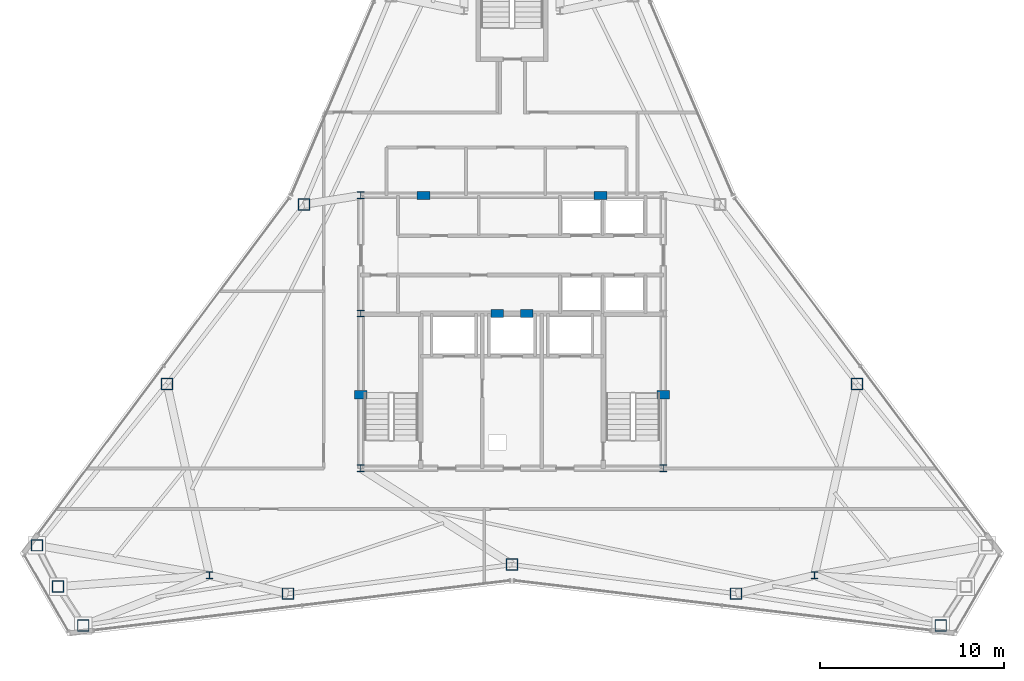
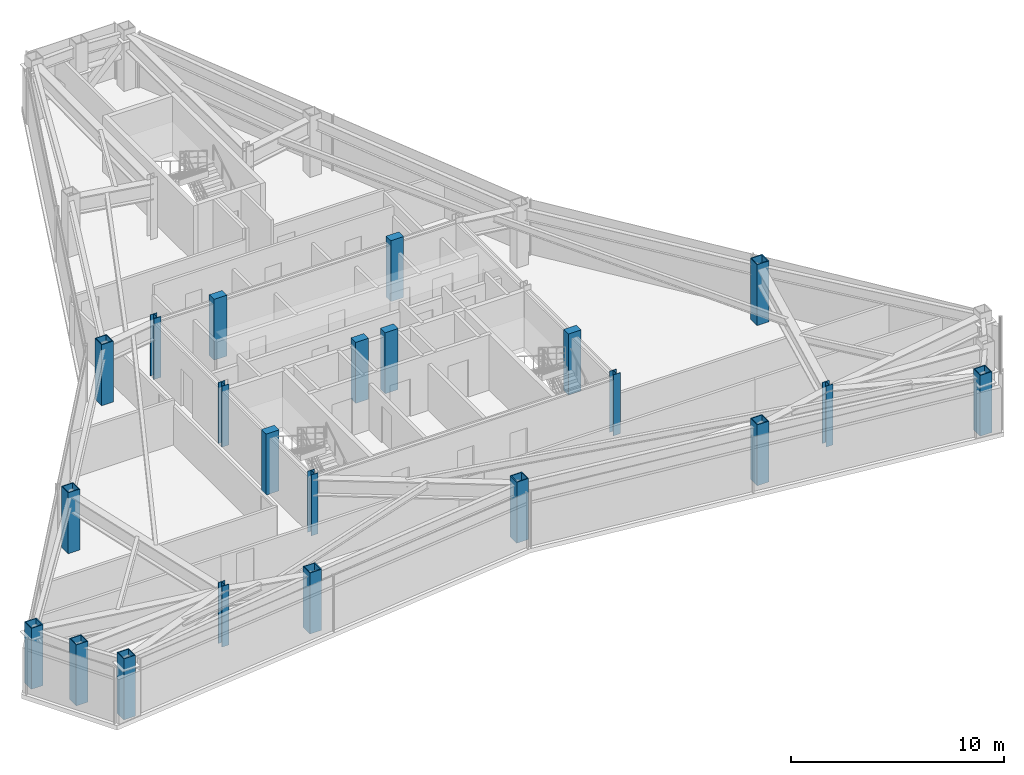
# One storey, part 1 of 12: 22 columns.
"""IFC4 building model written with IfcOpenShell, lengths in metres."""

from ifc_helpers import new_model, si_unit, direction, frame, origin, origin_2d, place, context, subcontext, project, spatial, rectangle, hollow_rectangle, i_section, extrude, material, material_profile, profile_set, type_object, element, save


model = new_model("IFC4")

# Units and contexts
model_context = context("Model", 3, precision=1e-05, world=origin(), true_north=direction((0.0, 1.0)))
body_context = subcontext(model_context, "Body", "Model", "MODEL_VIEW")
ifc_project = project(units=[si_unit("LENGTHUNIT", "METRE"), si_unit("AREAUNIT", "SQUARE_METRE"), si_unit("VOLUMEUNIT", "CUBIC_METRE"), si_unit("PLANEANGLEUNIT", "RADIAN"), si_unit("MASSUNIT", "GRAM", prefix="KILO")], contexts=[model_context])

# Site, building, storey
site_placement = place(None, origin())
site = spatial("IfcSite", under=ifc_project, at=site_placement, CompositionType="ELEMENT")
building_placement = place(site_placement, origin())
building = spatial("IfcBuilding", under=site, at=building_placement, Name="Varakhsha Concourse Tower", CompositionType="ELEMENT")
storey_placement = place(building_placement, frame((0.0, 0.0, 286.5)))
storey = spatial("IfcBuildingStorey", under=building, at=storey_placement, Name="L81", CompositionType="ELEMENT", Elevation=286.5)

# Columns
ifc_material_1 = material(Name="Structural Steel ASTM A992 Grade 50", Category="steel")
ifc_material_profile_1 = material_profile(ifc_material_1, i_section(OverallWidth=0.3740234375, OverallDepth=0.3720703125, WebThickness=0.01611328125, FlangeThickness=0.02587890625, at=origin_2d()), Name="W14X132")
ifc_profile_set_1 = profile_set([ifc_material_profile_1], Name="Structural Steel ASTM A992 Grade 50")
column_type_1 = type_object("IfcColumnType", Name="CL-CORE-W14X132", PredefinedType="COLUMN", material=ifc_profile_set_1)
for number, where, z_axis, x_axis, name in (
    (1, (31.800048828125, 16.39990234375, 0.0), (0.0, 0.0, 1.0), (1.0, 0.0, 0.0), "L81 Core Column CC-SW"),
    (2, (48.199951171875, 16.39990234375, 0.0), (0.0, 0.0, 1.0), (1.0, 0.0, 0.0), "L81 Core Column CC-SE"),
    (3, (31.800048828125, 24.800048828125, 0.0), (0.0, 0.0, 1.0), (1.0, 0.0, 0.0), "L81 Core Column CC-MW"),
    (4, (31.800048828125, 31.199951171875, 0.0), (0.0, 0.0, 1.0), (1.0, 0.0, 0.0), "L81 Core Column CC-NW"),
    (5, (23.60009765625, 10.60009765625, 0.0), (0.0, 0.0, 1.0), (1.0, 0.0, 0.0), "L81 Core Column SS-W"),
    (6, (56.39990234375, 10.60009765625, 0.0), (0.0, 0.0, 1.0), (1.0, 0.0, 0.0), "L81 Core Column SS-E"),
):
    element("IfcColumn", number, at=place(storey_placement, frame(where, z_axis=z_axis, x_axis=x_axis)), inside=storey, type_object=column_type_1, Name=name, PredefinedType="COLUMN", context=body_context, shape_type="SweptSolid", body=[
        extrude(i_section(OverallWidth=0.3740234375, OverallDepth=0.3720703125, WebThickness=0.01611328125, FlangeThickness=0.02587890625, at=origin_2d()), origin(), (0.0, 0.0, 1.0), 3.5),
    ])
ifc_material_2 = material(Name="Concrete fc 65 MPa", Category="concrete")
ifc_material_profile_2 = material_profile(ifc_material_2, rectangle(XDim=0.699951171875, YDim=0.449951171875, at=origin_2d()), Name="RC 700x450")
ifc_profile_set_2 = profile_set([ifc_material_profile_2], Name="Concrete fc 65 MPa")
column_type_2 = type_object("IfcColumnType", Name="CL-PIL-700X450", PredefinedType="PILASTER", material=ifc_profile_set_2)
for number, where, z_axis, x_axis, name in (
    (7, (31.800048828125, 20.39990234375, 0.0), (0.0, 0.0, 1.0), (1.0, 0.0, 0.0), "L81 Core Boundary Pilaster PIL-W1"),
    (8, (48.199951171875, 20.39990234375, 0.0), (0.0, 0.0, 1.0), (1.0, 0.0, 0.0), "L81 Core Boundary Pilaster PIL-E1"),
    (9, (35.199951171875, 31.199951171875, 0.0), (0.0, 0.0, 1.0), (1.0, 0.0, 0.0), "L81 Core Boundary Pilaster PIL-N1"),
    (10, (44.800048828125, 31.199951171875, 0.0), (0.0, 0.0, 1.0), (1.0, 0.0, 0.0), "L81 Core Boundary Pilaster PIL-N2"),
    (11, (39.199951171875, 24.800048828125, 0.0), (0.0, 0.0, 1.0), (1.0, 0.0, 0.0), "L81 Core Boundary Pilaster PIL-M1"),
    (12, (40.800048828125, 24.800048828125, 0.0), (0.0, 0.0, 1.0), (1.0, 0.0, 0.0), "L81 Core Boundary Pilaster PIL-M2"),
):
    element("IfcColumn", number, at=place(storey_placement, frame(where, z_axis=z_axis, x_axis=x_axis)), inside=storey, type_object=column_type_2, Name=name, PredefinedType="PILASTER", context=body_context, shape_type="SweptSolid", body=[
        extrude(rectangle(XDim=0.699951171875, YDim=0.449951171875, at=origin_2d()), origin(), (0.0, 0.0, 1.0), 3.5),
    ])
ifc_material_3 = material(Name="Structural Steel ASTM A572 Grade 50", Category="steel")
ifc_material_profile_3 = material_profile(ifc_material_3, hollow_rectangle(XDim=0.639892578125, YDim=0.639892578125, WallThickness=0.044921875, at=origin_2d()), Name="BOX 640x640x45")
ifc_profile_set_3 = profile_set([ifc_material_profile_3], Name="Structural Steel ASTM A572 Grade 50")
column_type_3 = type_object("IfcColumnType", Name="CL-TUBE-640", PredefinedType="COLUMN", material=ifc_profile_set_3)
for number, where, z_axis, x_axis, name in (
    (13, (28.728759765625, 30.70751953125, 0.0), (0.0, 0.0, 1.0), (1.0, 0.0, 0.0), "L81 Framed-Tube Column TC05"),
    (14, (21.294921875, 20.981201171875, 0.0), (0.0, 0.0, 1.0), (1.0, 0.0, 0.0), "L81 Framed-Tube Column TC06"),
    (15, (14.24609375, 12.229736328125, 0.0), (0.0, 0.0, 1.0), (1.0, 0.0, 0.0), "L81 Framed-Tube Column TC07"),
    (16, (15.390380859375, 9.99169921875, 0.0), (0.0, 0.0, 1.0), (1.0, 0.0, 0.0), "L81 Framed-Tube Column TC08"),
    (17, (16.756591796875, 7.881591796875, 0.0), (0.0, 0.0, 1.0), (1.0, 0.0, 0.0), "L81 Framed-Tube Column TC09"),
    (18, (27.85986328125, 9.6103515625, 0.0), (0.0, 0.0, 1.0), (1.0, 0.0, 0.0), "L81 Framed-Tube Column TC10"),
    (19, (40.0, 11.18505859375, 0.0), (0.0, 0.0, 1.0), (1.0, 0.0, 0.0), "L81 Framed-Tube Column TC11"),
    (20, (52.14013671875, 9.6103515625, 0.0), (0.0, 0.0, 1.0), (1.0, 0.0, 0.0), "L81 Framed-Tube Column TC12"),
    (21, (63.243408203125, 7.881591796875, 0.0), (0.0, 0.0, 1.0), (1.0, 0.0, 0.0), "L81 Framed-Tube Column TC13"),
    (22, (58.705078125, 20.981201171875, 0.0), (0.0, 0.0, 1.0), (1.0, 0.0, 0.0), "L81 Framed-Tube Column TC16"),
):
    element("IfcColumn", number, at=place(storey_placement, frame(where, z_axis=z_axis, x_axis=x_axis)), inside=storey, type_object=column_type_3, Name=name, PredefinedType="COLUMN", context=body_context, shape_type="SweptSolid", body=[
        extrude(hollow_rectangle(XDim=0.639892578125, YDim=0.639892578125, WallThickness=0.044921875, at=origin_2d()), origin(), (0.0, 0.0, 1.0), 3.5),
    ])

save(model, "model.ifc")
